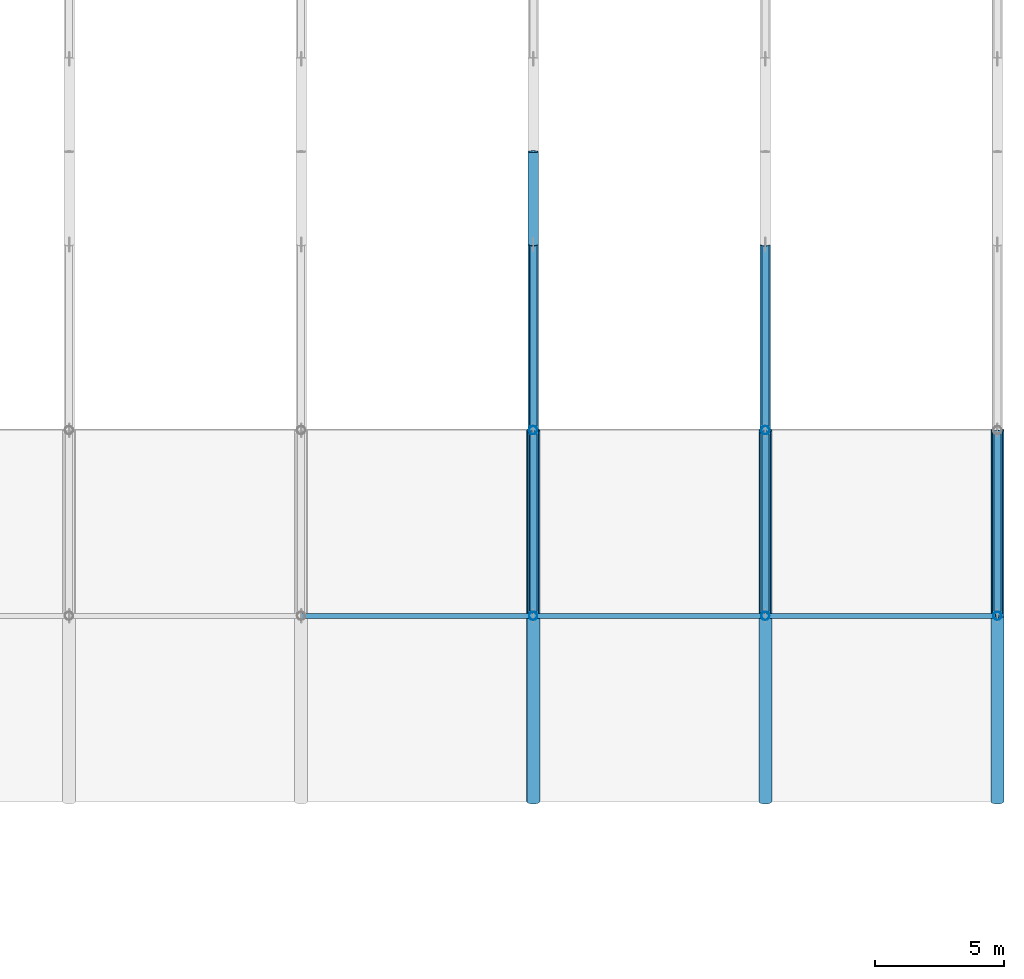
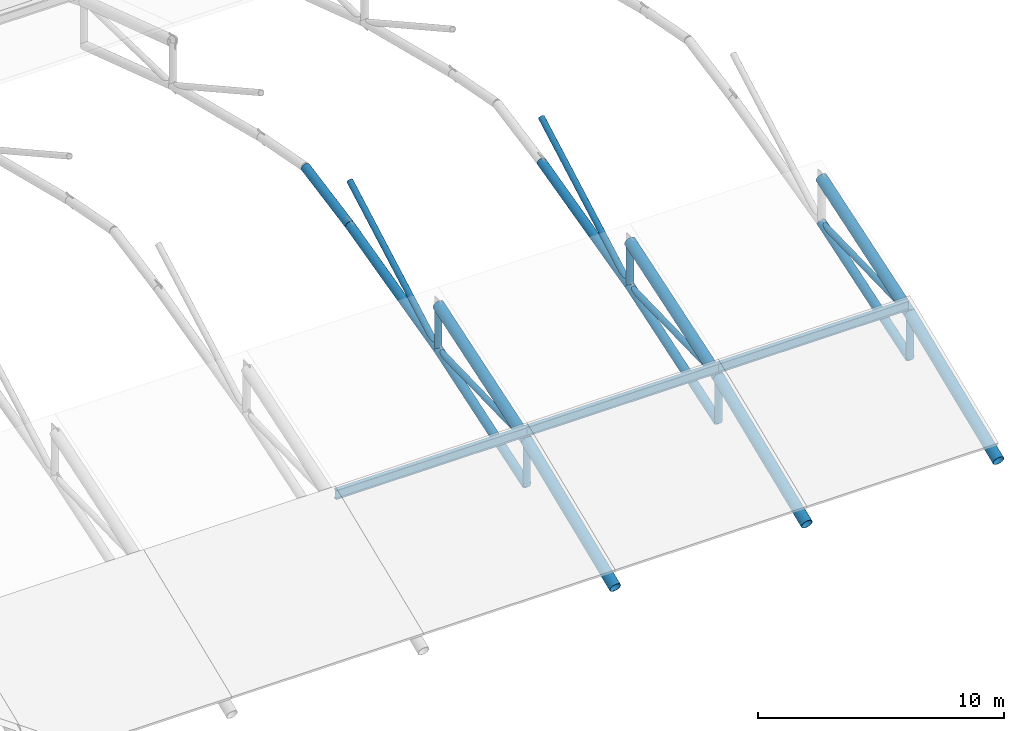
# One storey, part 51 of 78: 25 members.
"""IFC4 building model written with IfcOpenShell, lengths in metres."""

from ifc_helpers import new_model, si_unit, direction, frame, origin, origin_2d, place, context, subcontext, project, spatial, hollow_circle, i_section, extrude, material, material_profile, profile_set, type_object, element, save


model = new_model("IFC4")

# Units and contexts
model_context = context("Model", 3, precision=1e-05, world=origin(), true_north=direction((0.0, 1.0)))
body_context = subcontext(model_context, "Body", "Model", "MODEL_VIEW")
ifc_project = project(units=[si_unit("LENGTHUNIT", "METRE"), si_unit("AREAUNIT", "SQUARE_METRE"), si_unit("VOLUMEUNIT", "CUBIC_METRE"), si_unit("PLANEANGLEUNIT", "RADIAN"), si_unit("MASSUNIT", "GRAM", prefix="KILO")], contexts=[model_context])

# Site, building, storey
site_placement = place(None, origin())
site = spatial("IfcSite", under=ifc_project, at=site_placement, CompositionType="ELEMENT")
building_placement = place(site_placement, origin())
building = spatial("IfcBuilding", under=site, at=building_placement, Name="Celestram Park Convention Centre", CompositionType="ELEMENT")
storey_placement = place(building_placement, frame((0.0, 0.0, 19.800048828125)))
storey = spatial("IfcBuildingStorey", under=building, at=storey_placement, Name="L04", CompositionType="ELEMENT", Elevation=19.800048828125)

# Members
ifc_material_1 = material(Name="Steel ASTM A500 Grade C", Category="steel")
ifc_material_profile_1 = material_profile(ifc_material_1, hollow_circle(Radius=0.136474609375, WallThickness=0.010009765625, at=origin_2d()), Name="CHS273X10")
ifc_profile_set_1 = profile_set([ifc_material_profile_1], Name="Steel ASTM A500 Grade C")
member_type_1 = type_object("IfcMemberType", Name="STR-BRC-CHS273", PredefinedType="BRACE", material=ifc_profile_set_1)
member_1_placement = place(storey_placement, frame((198.0, 122.39990234375, 2.058837890625), z_axis=(0.0, 0.999715212241, 0.023864082104), x_axis=(-1.0, 0.0, 0.0)))
element("IfcMember", 1, at=member_1_placement, inside=storey, type_object=member_type_1, Name="V2 arch web diagonal", PredefinedType="BRACE", context=body_context, shape_type="SweptSolid", body=[
    extrude(hollow_circle(Radius=0.136474609375, WallThickness=0.010009765625, at=origin_2d()), origin(), (0.0, 0.0, 1.0), 7.2021484375),
])
member_2_placement = place(storey_placement, frame((198.0, 129.60009765625, 2.230712890625), z_axis=(0.0, 0.874218793516, 0.485532183344), x_axis=(-1.0, 0.0, 0.0)))
element("IfcMember", 2, at=member_2_placement, inside=storey, type_object=member_type_1, Name="V2 arch web diagonal", PredefinedType="BRACE", context=body_context, shape_type="SweptSolid", body=[
    extrude(hollow_circle(Radius=0.136474609375, WallThickness=0.010009765625, at=origin_2d()), origin(), (0.0, 0.0, 1.0), 8.23583984375),
])
member_3_placement = place(storey_placement, frame((207.0, 122.39990234375, 2.058837890625), z_axis=(0.0, 0.999715212241, 0.023864082104), x_axis=(-1.0, 0.0, 0.0)))
element("IfcMember", 3, at=member_3_placement, inside=storey, type_object=member_type_1, Name="V2 arch web diagonal", PredefinedType="BRACE", context=body_context, shape_type="SweptSolid", body=[
    extrude(hollow_circle(Radius=0.136474609375, WallThickness=0.010009765625, at=origin_2d()), origin(), (0.0, 0.0, 1.0), 7.2021484375),
])
member_4_placement = place(storey_placement, frame((207.0, 129.60009765625, 2.230712890625), z_axis=(0.0, 0.874218793516, 0.485532183344), x_axis=(-1.0, 0.0, 0.0)))
element("IfcMember", 4, at=member_4_placement, inside=storey, type_object=member_type_1, Name="V2 arch web diagonal", PredefinedType="BRACE", context=body_context, shape_type="SweptSolid", body=[
    extrude(hollow_circle(Radius=0.136474609375, WallThickness=0.010009765625, at=origin_2d()), origin(), (0.0, 0.0, 1.0), 8.23583984375),
])
member_5_placement = place(storey_placement, frame((216.0, 122.39990234375, 2.058837890625), z_axis=(0.0, 0.999715212241, 0.023864082104), x_axis=(-1.0, 0.0, 0.0)))
element("IfcMember", 5, at=member_5_placement, inside=storey, type_object=member_type_1, Name="V2 arch web diagonal", PredefinedType="BRACE", context=body_context, shape_type="SweptSolid", body=[
    extrude(hollow_circle(Radius=0.136474609375, WallThickness=0.010009765625, at=origin_2d()), origin(), (0.0, 0.0, 1.0), 7.2021484375),
])
ifc_material_profile_2 = material_profile(ifc_material_1, hollow_circle(Radius=0.202880859375, WallThickness=0.013916015625, at=origin_2d()), Name="CHS406X14")
ifc_profile_set_2 = profile_set([ifc_material_profile_2], Name="Steel ASTM A500 Grade C")
member_type_2 = type_object("IfcMemberType", Name="STR-CHD-CHS406", PredefinedType="CHORD", material=ifc_profile_set_2)
member_6_placement = place(storey_placement, frame((198.0, 122.39990234375, -0.14111328125), z_axis=(0.0, 0.94979489364, 0.312873233138), x_axis=(-1.0, 0.0, 0.0)))
element("IfcMember", 6, at=member_6_placement, inside=storey, type_object=member_type_2, Name="V2 arch bottom chord", PredefinedType="CHORD", context=body_context, shape_type="SweptSolid", body=[
    extrude(hollow_circle(Radius=0.202880859375, WallThickness=0.013916015625, at=origin_2d()), origin(), (0.0, 0.0, 1.0), 7.580810546875),
])
member_7_placement = place(storey_placement, frame((198.0, 129.60009765625, 2.230712890625), z_axis=(0.0, 0.970179256757, 0.242388551212), x_axis=(-1.0, 0.0, 0.0)))
element("IfcMember", 7, at=member_7_placement, inside=storey, type_object=member_type_2, Name="V2 arch bottom chord", PredefinedType="CHORD", context=body_context, shape_type="SweptSolid", body=[
    extrude(hollow_circle(Radius=0.202880859375, WallThickness=0.013916015625, at=origin_2d()), origin(), (0.0, 0.0, 1.0), 7.421142578125),
])
member_8_placement = place(storey_placement, frame((198.0, 136.800048828125, 4.029541015625), z_axis=(0.0, 0.982406731244, 0.186753887262), x_axis=(-1.0, 0.0, 0.0)))
element("IfcMember", 8, at=member_8_placement, inside=storey, type_object=member_type_2, Name="V2 arch bottom chord", PredefinedType="CHORD", context=body_context, shape_type="SweptSolid", body=[
    extrude(hollow_circle(Radius=0.202880859375, WallThickness=0.013916015625, at=origin_2d()), origin(), (0.0, 0.0, 1.0), 3.664306640625),
])
member_9_placement = place(storey_placement, frame((207.0, 122.39990234375, -0.14111328125), z_axis=(0.0, 0.94979489364, 0.312873233138), x_axis=(-1.0, 0.0, 0.0)))
element("IfcMember", 9, at=member_9_placement, inside=storey, type_object=member_type_2, Name="V2 arch bottom chord", PredefinedType="CHORD", context=body_context, shape_type="SweptSolid", body=[
    extrude(hollow_circle(Radius=0.202880859375, WallThickness=0.013916015625, at=origin_2d()), origin(), (0.0, 0.0, 1.0), 7.580810546875),
])
member_10_placement = place(storey_placement, frame((207.0, 129.60009765625, 2.230712890625), z_axis=(0.0, 0.970179256757, 0.242388551212), x_axis=(-1.0, 0.0, 0.0)))
element("IfcMember", 10, at=member_10_placement, inside=storey, type_object=member_type_2, Name="V2 arch bottom chord", PredefinedType="CHORD", context=body_context, shape_type="SweptSolid", body=[
    extrude(hollow_circle(Radius=0.202880859375, WallThickness=0.013916015625, at=origin_2d()), origin(), (0.0, 0.0, 1.0), 7.421142578125),
])
member_11_placement = place(storey_placement, frame((216.0, 122.39990234375, -0.14111328125), z_axis=(0.0, 0.94979489364, 0.312873233138), x_axis=(-1.0, 0.0, 0.0)))
element("IfcMember", 11, at=member_11_placement, inside=storey, type_object=member_type_2, Name="V2 arch bottom chord", PredefinedType="CHORD", context=body_context, shape_type="SweptSolid", body=[
    extrude(hollow_circle(Radius=0.202880859375, WallThickness=0.013916015625, at=origin_2d()), origin(), (0.0, 0.0, 1.0), 7.580810546875),
])
ifc_material_profile_3 = material_profile(ifc_material_1, hollow_circle(Radius=0.25390625, WallThickness=0.01611328125, at=origin_2d()), Name="CHS508X16")
ifc_profile_set_3 = profile_set([ifc_material_profile_3], Name="Steel ASTM A500 Grade C")
member_type_3 = type_object("IfcMemberType", Name="STR-CHD-CHS508", PredefinedType="CHORD", material=ifc_profile_set_3)
member_12_placement = place(storey_placement, frame((198.0, 115.199951171875, -0.885986328125), z_axis=(0.0, 0.925574450341, 0.378565630871), x_axis=(-1.0, 0.0, 0.0)))
element("IfcMember", 12, at=member_12_placement, inside=storey, type_object=member_type_3, Name="V2 arch top chord", PredefinedType="CHORD", context=body_context, shape_type="SweptSolid", body=[
    extrude(hollow_circle(Radius=0.25390625, WallThickness=0.01611328125, at=origin_2d()), origin(), (0.0, 0.0, 1.0), 7.77880859375),
])
member_13_placement = place(storey_placement, frame((198.0, 122.39990234375, 2.058837890625), z_axis=(0.0, 0.94979489364, 0.312873233138), x_axis=(-1.0, 0.0, 0.0)))
element("IfcMember", 13, at=member_13_placement, inside=storey, type_object=member_type_3, Name="V2 arch top chord", PredefinedType="CHORD", context=body_context, shape_type="SweptSolid", body=[
    extrude(hollow_circle(Radius=0.25390625, WallThickness=0.01611328125, at=origin_2d()), origin(), (0.0, 0.0, 1.0), 7.580810546875),
])
member_14_placement = place(storey_placement, frame((207.0, 115.199951171875, -0.885986328125), z_axis=(0.0, 0.925574450341, 0.378565630871), x_axis=(-1.0, 0.0, 0.0)))
element("IfcMember", 14, at=member_14_placement, inside=storey, type_object=member_type_3, Name="V2 arch top chord", PredefinedType="CHORD", context=body_context, shape_type="SweptSolid", body=[
    extrude(hollow_circle(Radius=0.25390625, WallThickness=0.01611328125, at=origin_2d()), origin(), (0.0, 0.0, 1.0), 7.77880859375),
])
member_15_placement = place(storey_placement, frame((207.0, 122.39990234375, 2.058837890625), z_axis=(0.0, 0.94979489364, 0.312873233138), x_axis=(-1.0, 0.0, 0.0)))
element("IfcMember", 15, at=member_15_placement, inside=storey, type_object=member_type_3, Name="V2 arch top chord", PredefinedType="CHORD", context=body_context, shape_type="SweptSolid", body=[
    extrude(hollow_circle(Radius=0.25390625, WallThickness=0.01611328125, at=origin_2d()), origin(), (0.0, 0.0, 1.0), 7.580810546875),
])
member_16_placement = place(storey_placement, frame((216.0, 115.199951171875, -0.885986328125), z_axis=(0.0, 0.925574450341, 0.378565630871), x_axis=(-1.0, 0.0, 0.0)))
element("IfcMember", 16, at=member_16_placement, inside=storey, type_object=member_type_3, Name="V2 arch top chord", PredefinedType="CHORD", context=body_context, shape_type="SweptSolid", body=[
    extrude(hollow_circle(Radius=0.25390625, WallThickness=0.01611328125, at=origin_2d()), origin(), (0.0, 0.0, 1.0), 7.77880859375),
])
member_17_placement = place(storey_placement, frame((216.0, 122.39990234375, 2.058837890625), z_axis=(0.0, 0.94979489364, 0.312873233138), x_axis=(-1.0, 0.0, 0.0)))
element("IfcMember", 17, at=member_17_placement, inside=storey, type_object=member_type_3, Name="V2 arch top chord", PredefinedType="CHORD", context=body_context, shape_type="SweptSolid", body=[
    extrude(hollow_circle(Radius=0.25390625, WallThickness=0.01611328125, at=origin_2d()), origin(), (0.0, 0.0, 1.0), 7.580810546875),
])
ifc_material_2 = material(Name="Steel ASTM A992 Grade 50", Category="steel")
ifc_material_profile_4 = material_profile(ifc_material_2, i_section(OverallWidth=0.19091796875, OverallDepth=0.45703125, WebThickness=0.009033203125, FlangeThickness=0.014404296875, at=origin_2d()), Name="W18X50")
ifc_profile_set_4 = profile_set([ifc_material_profile_4], Name="Steel ASTM A992 Grade 50")
member_type_4 = type_object("IfcMemberType", Name="STR-RFT-W18X50", PredefinedType="RAFTER", material=ifc_profile_set_4)
for number, where, z_axis, x_axis, name in (
    (18, (189.0, 122.39990234375, 2.541259765625), (1.0, 0.0, 0.0), (0.0, 1.0, 0.0), "V2 roof purlin"),
    (19, (198.0, 122.39990234375, 2.541259765625), (1.0, 0.0, 0.0), (0.0, 1.0, 0.0), "V2 roof purlin"),
):
    element("IfcMember", number, at=place(storey_placement, frame(where, z_axis=z_axis, x_axis=x_axis)), inside=storey, type_object=member_type_4, Name=name, PredefinedType="RAFTER", context=body_context, shape_type="SweptSolid", body=[
        extrude(i_section(OverallWidth=0.19091796875, OverallDepth=0.45703125, WebThickness=0.009033203125, FlangeThickness=0.014404296875, at=origin_2d()), origin(), (0.0, 0.0, 1.0), 9.0),
    ])
member_18_placement = place(storey_placement, frame((207.0, 122.39990234375, 2.541259765625), z_axis=(1.0, 0.0, 0.0), x_axis=(0.0, 1.0, 0.0)))
element("IfcMember", 20, at=member_18_placement, inside=storey, type_object=member_type_4, Name="V2 roof purlin", PredefinedType="RAFTER", context=body_context, shape_type="SweptSolid", body=[
    extrude(i_section(OverallWidth=0.19091796875, OverallDepth=0.45703125, WebThickness=0.009033203125, FlangeThickness=0.014404296875, at=origin_2d()), origin(), (0.0, 0.0, 1.0), 8.919921875),
])
ifc_material_profile_5 = material_profile(ifc_material_1, hollow_circle(Radius=0.162109375, WallThickness=0.011962890625, at=origin_2d()), Name="CHS324X12")
ifc_profile_set_5 = profile_set([ifc_material_profile_5], Name="Steel ASTM A500 Grade C")
member_type_5 = type_object("IfcMemberType", Name="STR-STR-CHS324", PredefinedType="STRUT", material=ifc_profile_set_5)
for number, where, z_axis, x_axis, name in (
    (21, (198.0, 122.39990234375, -0.14111328125), (0.0, 0.0, 1.0), (1.0, 0.0, 0.0), "V2 arch vertical strut"),
    (22, (198.0, 129.60009765625, 2.230712890625), (0.0, 0.0, 1.0), (1.0, 0.0, 0.0), "V2 arch vertical strut"),
    (23, (207.0, 122.39990234375, -0.14111328125), (0.0, 0.0, 1.0), (1.0, 0.0, 0.0), "V2 arch vertical strut"),
    (24, (207.0, 129.60009765625, 2.230712890625), (0.0, 0.0, 1.0), (1.0, 0.0, 0.0), "V2 arch vertical strut"),
    (25, (216.0, 122.39990234375, -0.14111328125), (0.0, 0.0, 1.0), (1.0, 0.0, 0.0), "V2 arch vertical strut"),
):
    element("IfcMember", number, at=place(storey_placement, frame(where, z_axis=z_axis, x_axis=x_axis)), inside=storey, type_object=member_type_5, Name=name, PredefinedType="STRUT", context=body_context, shape_type="SweptSolid", body=[
        extrude(hollow_circle(Radius=0.162109375, WallThickness=0.011962890625, at=origin_2d()), origin(), (0.0, 0.0, 1.0), 2.199951171875),
    ])

save(model, "model.ifc")
